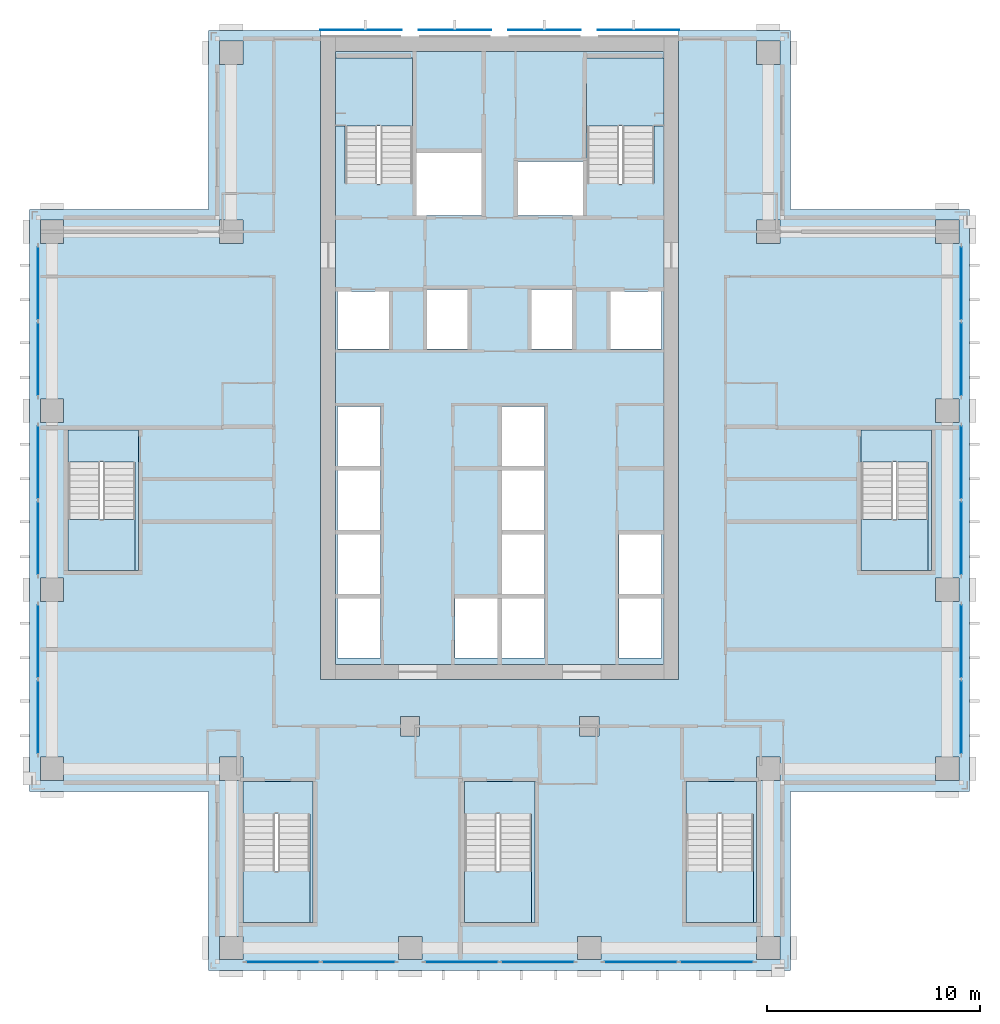
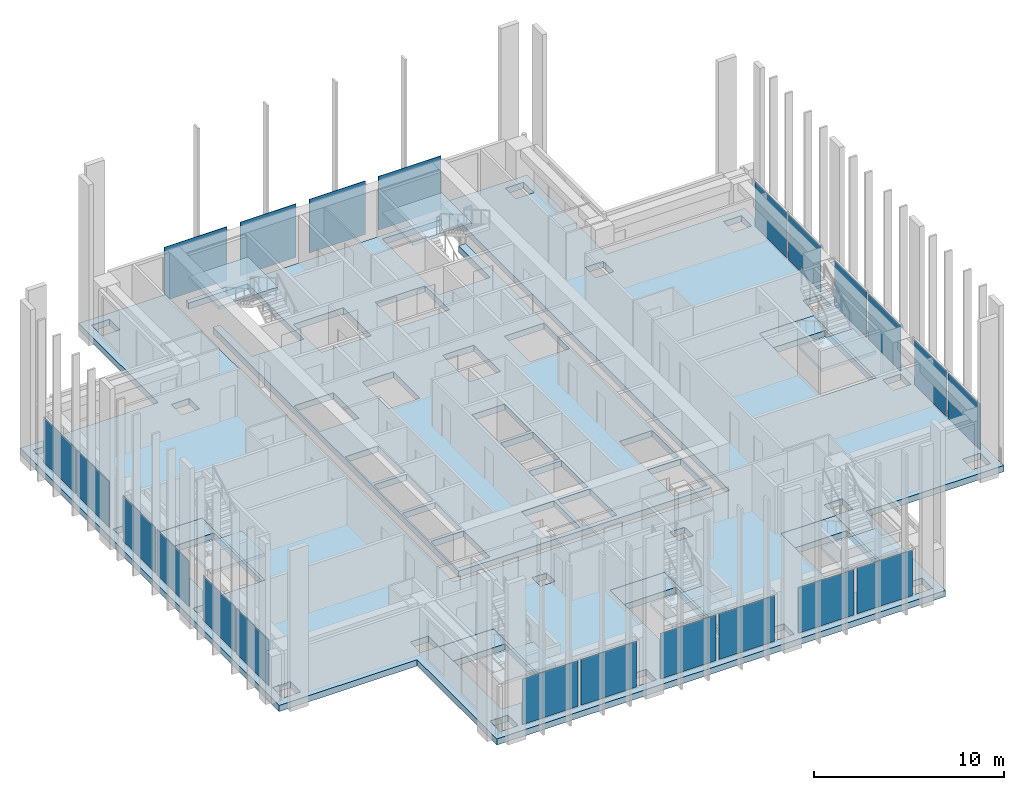
# One storey, part 8 of 16: 22 plates, 14 slabs, 16 elements without a shape of their own.
"""IFC4 building model written with IfcOpenShell, lengths in metres."""

from ifc_helpers import new_model, si_unit, direction, frame, origin, origin_2d, place, context, subcontext, project, spatial, polyline, rectangle, outline, extrude, material, layer, layer_set, type_object, element, aggregate, save


model = new_model("IFC4")

# Units and contexts
model_context = context("Model", 3, precision=1e-05, world=origin(), true_north=direction((0.0, 1.0)))
body_context = subcontext(model_context, "Body", "Model", "MODEL_VIEW")
ifc_project = project(units=[si_unit("LENGTHUNIT", "METRE"), si_unit("AREAUNIT", "SQUARE_METRE"), si_unit("VOLUMEUNIT", "CUBIC_METRE"), si_unit("PLANEANGLEUNIT", "RADIAN"), si_unit("MASSUNIT", "GRAM", prefix="KILO")], contexts=[model_context])

# Site, building, storey
site_placement = place(None, origin())
site = spatial("IfcSite", under=ifc_project, at=site_placement, CompositionType="ELEMENT")
building_placement = place(site_placement, origin())
building = spatial("IfcBuilding", under=site, at=building_placement, Name="Vermilion Ogive Tower", CompositionType="ELEMENT")
storey_placement = place(building_placement, frame((0.0, 0.0, 133.10009765625)))
storey = spatial("IfcBuildingStorey", under=building, at=storey_placement, Name="L33", CompositionType="ELEMENT", Elevation=133.10009765625)

# Curtain wall, plates
ifc_material_1 = material(Name="Low-iron laminated glazing in aluminium frame", Category="aluminium")
curtain_wall_type = type_object("IfcCurtainWallType", Name="Curtain wall CW7", PredefinedType="NOTDEFINED", material=ifc_material_1)
curtain_wall_1_placement = place(storey_placement, origin())
curtain_wall_1 = element("IfcCurtainWall", 1, at=curtain_wall_1_placement, inside=storey, type_object=curtain_wall_type, Name="Glazed skin S1", PredefinedType="NOTDEFINED")
ifc_material_2 = material(Name="Low-iron laminated glazing in aluminium frame", Category="aluminium")
ifc_layer_1 = layer(ifc_material_2, 0.031982421875)
ifc_layer_set_1 = layer_set([ifc_layer_1], Name="CW7 glazing panel 32")
plate_type_1 = type_object("IfcPlateType", Name="CW7 glazing panel 32", PredefinedType="CURTAIN_PANEL", material=ifc_layer_set_1)
plate_1_placement = place(storey_placement, frame((-10.179931640625, -21.64990234375, 0.06005859375), z_axis=(0.0, 0.0, 1.0), x_axis=(1.0, 0.0, 0.0)))
plate_1 = element("IfcPlate", 2, at=plate_1_placement, type_object=plate_type_1, Name="CW7-S1 panel 1.1", PredefinedType="CURTAIN_PANEL", context=body_context, shape_type="SweptSolid", body=[
    extrude(rectangle(XDim=3.3798828125, YDim=0.031982421875, at=origin_2d()), origin(), (0.0, 0.0, 1.0), 2.929931640625),
])
plate_2_placement = place(storey_placement, frame((-6.6201171875, -21.64990234375, 0.06005859375), z_axis=(0.0, 0.0, 1.0), x_axis=(1.0, 0.0, 0.0)))
plate_2 = element("IfcPlate", 3, at=plate_2_placement, type_object=plate_type_1, Name="CW7-S1 panel 2.1", PredefinedType="CURTAIN_PANEL", context=body_context, shape_type="SweptSolid", body=[
    extrude(rectangle(XDim=3.3798828125, YDim=0.031982421875, at=origin_2d()), origin(), (0.0, 0.0, 1.0), 2.929931640625),
])
aggregate(curtain_wall_1, [plate_1, plate_2])

curtain_wall_2_placement = place(storey_placement, origin())
curtain_wall_2 = element("IfcCurtainWall", 4, at=curtain_wall_2_placement, inside=storey, type_object=curtain_wall_type, Name="Glazed skin S2", PredefinedType="NOTDEFINED")
plate_3_placement = place(storey_placement, frame((-1.780029296875, -21.64990234375, 0.06005859375), z_axis=(0.0, 0.0, 1.0), x_axis=(1.0, 0.0, 0.0)))
plate_3 = element("IfcPlate", 5, at=plate_3_placement, type_object=plate_type_1, Name="CW7-S2 panel 1.1", PredefinedType="CURTAIN_PANEL", context=body_context, shape_type="SweptSolid", body=[
    extrude(rectangle(XDim=3.3798828125, YDim=0.031982421875, at=origin_2d()), origin(), (0.0, 0.0, 1.0), 2.929931640625),
])
plate_4_placement = place(storey_placement, frame((1.780029296875, -21.64990234375, 0.06005859375), z_axis=(0.0, 0.0, 1.0), x_axis=(1.0, 0.0, 0.0)))
plate_4 = element("IfcPlate", 6, at=plate_4_placement, type_object=plate_type_1, Name="CW7-S2 panel 2.1", PredefinedType="CURTAIN_PANEL", context=body_context, shape_type="SweptSolid", body=[
    extrude(rectangle(XDim=3.3798828125, YDim=0.031982421875, at=origin_2d()), origin(), (0.0, 0.0, 1.0), 2.929931640625),
])
aggregate(curtain_wall_2, [plate_3, plate_4])

curtain_wall_3_placement = place(storey_placement, origin())
curtain_wall_3 = element("IfcCurtainWall", 7, at=curtain_wall_3_placement, inside=storey, type_object=curtain_wall_type, Name="Glazed skin S3", PredefinedType="NOTDEFINED")
plate_5_placement = place(storey_placement, frame((6.6201171875, -21.64990234375, 0.06005859375), z_axis=(0.0, 0.0, 1.0), x_axis=(1.0, 0.0, 0.0)))
plate_5 = element("IfcPlate", 8, at=plate_5_placement, type_object=plate_type_1, Name="CW7-S3 panel 1.1", PredefinedType="CURTAIN_PANEL", context=body_context, shape_type="SweptSolid", body=[
    extrude(rectangle(XDim=3.3798828125, YDim=0.031982421875, at=origin_2d()), origin(), (0.0, 0.0, 1.0), 2.929931640625),
])
plate_6_placement = place(storey_placement, frame((10.179931640625, -21.64990234375, 0.06005859375), z_axis=(0.0, 0.0, 1.0), x_axis=(1.0, 0.0, 0.0)))
plate_6 = element("IfcPlate", 9, at=plate_6_placement, type_object=plate_type_1, Name="CW7-S3 panel 2.1", PredefinedType="CURTAIN_PANEL", context=body_context, shape_type="SweptSolid", body=[
    extrude(rectangle(XDim=3.3798828125, YDim=0.031982421875, at=origin_2d()), origin(), (0.0, 0.0, 1.0), 2.929931640625),
])
aggregate(curtain_wall_3, [plate_5, plate_6])

curtain_wall_4_placement = place(storey_placement, origin())
curtain_wall_4 = element("IfcCurtainWall", 10, at=curtain_wall_4_placement, inside=storey, type_object=curtain_wall_type, Name="Glazed skin E1", PredefinedType="NOTDEFINED")
plate_7_placement = place(storey_placement, frame((21.64990234375, -10.179931640625, 0.06005859375), z_axis=(0.0, 0.0, 1.0), x_axis=(0.0, 1.0, 0.0)))
plate_7 = element("IfcPlate", 11, at=plate_7_placement, type_object=plate_type_1, Name="CW7-E1 panel 1.1", PredefinedType="CURTAIN_PANEL", context=body_context, shape_type="SweptSolid", body=[
    extrude(rectangle(XDim=3.3798828125, YDim=0.031982421875, at=origin_2d()), origin(), (0.0, 0.0, 1.0), 2.929931640625),
])
plate_8_placement = place(storey_placement, frame((21.64990234375, -6.6201171875, 0.06005859375), z_axis=(0.0, 0.0, 1.0), x_axis=(0.0, 1.0, 0.0)))
plate_8 = element("IfcPlate", 12, at=plate_8_placement, type_object=plate_type_1, Name="CW7-E1 panel 2.1", PredefinedType="CURTAIN_PANEL", context=body_context, shape_type="SweptSolid", body=[
    extrude(rectangle(XDim=3.3798828125, YDim=0.031982421875, at=origin_2d()), origin(), (0.0, 0.0, 1.0), 2.929931640625),
])
aggregate(curtain_wall_4, [plate_7, plate_8])

curtain_wall_5_placement = place(storey_placement, origin())
curtain_wall_5 = element("IfcCurtainWall", 13, at=curtain_wall_5_placement, inside=storey, type_object=curtain_wall_type, Name="Glazed skin E2", PredefinedType="NOTDEFINED")
plate_9_placement = place(storey_placement, frame((21.64990234375, -1.780029296875, 0.06005859375), z_axis=(0.0, 0.0, 1.0), x_axis=(0.0, 1.0, 0.0)))
plate_9 = element("IfcPlate", 14, at=plate_9_placement, type_object=plate_type_1, Name="CW7-E2 panel 1.1", PredefinedType="CURTAIN_PANEL", context=body_context, shape_type="SweptSolid", body=[
    extrude(rectangle(XDim=3.3798828125, YDim=0.031982421875, at=origin_2d()), origin(), (0.0, 0.0, 1.0), 2.929931640625),
])
plate_10_placement = place(storey_placement, frame((21.64990234375, 1.780029296875, 0.06005859375), z_axis=(0.0, 0.0, 1.0), x_axis=(0.0, 1.0, 0.0)))
plate_10 = element("IfcPlate", 15, at=plate_10_placement, type_object=plate_type_1, Name="CW7-E2 panel 2.1", PredefinedType="CURTAIN_PANEL", context=body_context, shape_type="SweptSolid", body=[
    extrude(rectangle(XDim=3.3798828125, YDim=0.031982421875, at=origin_2d()), origin(), (0.0, 0.0, 1.0), 2.929931640625),
])
aggregate(curtain_wall_5, [plate_9, plate_10])

curtain_wall_6_placement = place(storey_placement, origin())
curtain_wall_6 = element("IfcCurtainWall", 16, at=curtain_wall_6_placement, inside=storey, type_object=curtain_wall_type, Name="Glazed skin E3", PredefinedType="NOTDEFINED")
plate_11_placement = place(storey_placement, frame((21.64990234375, 6.6201171875, 0.06005859375), z_axis=(0.0, 0.0, 1.0), x_axis=(0.0, 1.0, 0.0)))
plate_11 = element("IfcPlate", 17, at=plate_11_placement, type_object=plate_type_1, Name="CW7-E3 panel 1.1", PredefinedType="CURTAIN_PANEL", context=body_context, shape_type="SweptSolid", body=[
    extrude(rectangle(XDim=3.3798828125, YDim=0.031982421875, at=origin_2d()), origin(), (0.0, 0.0, 1.0), 2.929931640625),
])
plate_12_placement = place(storey_placement, frame((21.64990234375, 10.179931640625, 0.06005859375), z_axis=(0.0, 0.0, 1.0), x_axis=(0.0, 1.0, 0.0)))
plate_12 = element("IfcPlate", 18, at=plate_12_placement, type_object=plate_type_1, Name="CW7-E3 panel 2.1", PredefinedType="CURTAIN_PANEL", context=body_context, shape_type="SweptSolid", body=[
    extrude(rectangle(XDim=3.3798828125, YDim=0.031982421875, at=origin_2d()), origin(), (0.0, 0.0, 1.0), 2.929931640625),
])
aggregate(curtain_wall_6, [plate_11, plate_12])

curtain_wall_7_placement = place(storey_placement, origin())
curtain_wall_7 = element("IfcCurtainWall", 19, at=curtain_wall_7_placement, inside=storey, type_object=curtain_wall_type, Name="Glazed skin W1", PredefinedType="NOTDEFINED")
plate_13_placement = place(storey_placement, frame((-21.64990234375, 10.179931640625, 0.06005859375), z_axis=(0.0, 0.0, 1.0), x_axis=(0.0, -1.0, 0.0)))
plate_13 = element("IfcPlate", 20, at=plate_13_placement, type_object=plate_type_1, Name="CW7-W1 panel 1.1", PredefinedType="CURTAIN_PANEL", context=body_context, shape_type="SweptSolid", body=[
    extrude(rectangle(XDim=3.3798828125, YDim=0.031982421875, at=origin_2d()), origin(), (0.0, 0.0, 1.0), 2.929931640625),
])
plate_14_placement = place(storey_placement, frame((-21.64990234375, 6.6201171875, 0.06005859375), z_axis=(0.0, 0.0, 1.0), x_axis=(0.0, -1.0, 0.0)))
plate_14 = element("IfcPlate", 21, at=plate_14_placement, type_object=plate_type_1, Name="CW7-W1 panel 2.1", PredefinedType="CURTAIN_PANEL", context=body_context, shape_type="SweptSolid", body=[
    extrude(rectangle(XDim=3.3798828125, YDim=0.031982421875, at=origin_2d()), origin(), (0.0, 0.0, 1.0), 2.929931640625),
])
aggregate(curtain_wall_7, [plate_13, plate_14])

curtain_wall_8_placement = place(storey_placement, origin())
curtain_wall_8 = element("IfcCurtainWall", 22, at=curtain_wall_8_placement, inside=storey, type_object=curtain_wall_type, Name="Glazed skin W2", PredefinedType="NOTDEFINED")
plate_15_placement = place(storey_placement, frame((-21.64990234375, 1.780029296875, 0.06005859375), z_axis=(0.0, 0.0, 1.0), x_axis=(0.0, -1.0, 0.0)))
plate_15 = element("IfcPlate", 23, at=plate_15_placement, type_object=plate_type_1, Name="CW7-W2 panel 1.1", PredefinedType="CURTAIN_PANEL", context=body_context, shape_type="SweptSolid", body=[
    extrude(rectangle(XDim=3.3798828125, YDim=0.031982421875, at=origin_2d()), origin(), (0.0, 0.0, 1.0), 2.929931640625),
])
plate_16_placement = place(storey_placement, frame((-21.64990234375, -1.780029296875, 0.06005859375), z_axis=(0.0, 0.0, 1.0), x_axis=(0.0, -1.0, 0.0)))
plate_16 = element("IfcPlate", 24, at=plate_16_placement, type_object=plate_type_1, Name="CW7-W2 panel 2.1", PredefinedType="CURTAIN_PANEL", context=body_context, shape_type="SweptSolid", body=[
    extrude(rectangle(XDim=3.3798828125, YDim=0.031982421875, at=origin_2d()), origin(), (0.0, 0.0, 1.0), 2.929931640625),
])
aggregate(curtain_wall_8, [plate_15, plate_16])

curtain_wall_9_placement = place(storey_placement, origin())
curtain_wall_9 = element("IfcCurtainWall", 25, at=curtain_wall_9_placement, inside=storey, type_object=curtain_wall_type, Name="Glazed skin W3", PredefinedType="NOTDEFINED")
plate_17_placement = place(storey_placement, frame((-21.64990234375, -6.6201171875, 0.06005859375), z_axis=(0.0, 0.0, 1.0), x_axis=(0.0, -1.0, 0.0)))
plate_17 = element("IfcPlate", 26, at=plate_17_placement, type_object=plate_type_1, Name="CW7-W3 panel 1.1", PredefinedType="CURTAIN_PANEL", context=body_context, shape_type="SweptSolid", body=[
    extrude(rectangle(XDim=3.3798828125, YDim=0.031982421875, at=origin_2d()), origin(), (0.0, 0.0, 1.0), 2.929931640625),
])
plate_18_placement = place(storey_placement, frame((-21.64990234375, -10.179931640625, 0.06005859375), z_axis=(0.0, 0.0, 1.0), x_axis=(0.0, -1.0, 0.0)))
plate_18 = element("IfcPlate", 27, at=plate_18_placement, type_object=plate_type_1, Name="CW7-W3 panel 2.1", PredefinedType="CURTAIN_PANEL", context=body_context, shape_type="SweptSolid", body=[
    extrude(rectangle(XDim=3.3798828125, YDim=0.031982421875, at=origin_2d()), origin(), (0.0, 0.0, 1.0), 2.929931640625),
])
aggregate(curtain_wall_9, [plate_17, plate_18])

# Slabs
ifc_material_3 = material(Name="Concrete B40", Category="concrete")
ifc_layer_2 = layer(ifc_material_3, 0.39990234375)
ifc_layer_set_2 = layer_set([ifc_layer_2], Name="Core floor slab 400 B40")
slab_type_1 = type_object("IfcSlabType", Name="Core floor slab 400 B40", PredefinedType="FLOOR", material=ifc_layer_set_2)
slab_1_placement = place(storey_placement, frame((0.0, 0.0, -0.400146484375)))
element("IfcSlab", 28, at=slab_1_placement, inside=storey, type_object=slab_type_1, Name="L33-CK-FS1", PredefinedType="FLOOR", context=body_context, shape_type="SweptSolid", body=[
    extrude(outline(polyline([(5.75, 14.85009765625), (5.60009765625, 14.85009765625), (5.60009765625, 14.85205078125), (4.10009765625, 14.85205078125), (4.10009765625, 18.2099609375), (4.074951171875, 18.2099609375), (4.074951171875, 20.75), (7.696044921875, 20.75), (7.696044921875, 21.0458984375), (-7.696044921875, 21.0458984375), (-7.696044921875, 20.75), (-4.10009765625, 20.75), (-4.10009765625, 14.85205078125), (-5.60009765625, 14.85205078125), (-5.60009765625, 14.85009765625), (-5.75, 14.85009765625), (-5.75, 14.85205078125), (-7.25, 14.85205078125), (-7.25, 18.2099609375), (-7.696044921875, 18.2099609375), (-7.696044921875, -7.696044921875), (7.696044921875, -7.696044921875), (7.696044921875, 18.2099609375), (7.25, 18.2099609375), (7.25, 14.85205078125), (5.75, 14.85205078125), (5.75, 14.85009765625)]), holes=[polyline([(-7.60009765625, -4.60009765625), (-5.60009765625, -4.60009765625), (-5.60009765625, -7.39990234375), (-7.60009765625, -7.39990234375), (-7.60009765625, -4.60009765625)]), polyline([(-2.10009765625, -7.39990234375), (-2.10009765625, -4.60009765625), (-0.10009765625, -4.60009765625), (-0.10009765625, -7.39990234375), (-2.10009765625, -7.39990234375)]), polyline([(-7.60009765625, -1.60009765625), (-5.60009765625, -1.60009765625), (-5.60009765625, -4.39990234375), (-7.60009765625, -4.39990234375), (-7.60009765625, -1.60009765625)]), polyline([(-7.60009765625, -1.39990234375), (-7.60009765625, 1.39990234375), (-5.60009765625, 1.39990234375), (-5.60009765625, -1.39990234375), (-7.60009765625, -1.39990234375)]), polyline([(-7.60009765625, 4.39990234375), (-5.60009765625, 4.39990234375), (-5.60009765625, 1.60009765625), (-7.60009765625, 1.60009765625), (-7.60009765625, 4.39990234375)]), polyline([(-7.60009765625, 9.800048828125), (-5.199951171875, 9.800048828125), (-5.199951171875, 7.10009765625), (-7.60009765625, 7.10009765625), (-7.60009765625, 9.800048828125)]), polyline([(-3.39990234375, 7.10009765625), (-3.39990234375, 9.89990234375), (-1.5, 9.89990234375), (-1.5, 7.10009765625), (-3.39990234375, 7.10009765625)]), polyline([(-3.89990234375, 16.300048828125), (-0.85009765625, 16.300048828125), (-0.85009765625, 13.35009765625), (-3.89990234375, 13.35009765625), (-3.89990234375, 16.300048828125)]), polyline([(0.10009765625, -4.60009765625), (2.10009765625, -4.60009765625), (2.10009765625, -7.39990234375), (0.10009765625, -7.39990234375), (0.10009765625, -4.60009765625)]), polyline([(5.60009765625, -4.60009765625), (7.60009765625, -4.60009765625), (7.60009765625, -7.39990234375), (5.60009765625, -7.39990234375), (5.60009765625, -4.60009765625)]), polyline([(0.10009765625, -4.39990234375), (0.10009765625, -1.60009765625), (2.10009765625, -1.60009765625), (2.10009765625, -4.39990234375), (0.10009765625, -4.39990234375)]), polyline([(5.60009765625, -1.60009765625), (7.60009765625, -1.60009765625), (7.60009765625, -4.39990234375), (5.60009765625, -4.39990234375), (5.60009765625, -1.60009765625)]), polyline([(0.10009765625, -1.39990234375), (0.10009765625, 1.39990234375), (2.10009765625, 1.39990234375), (2.10009765625, -1.39990234375), (0.10009765625, -1.39990234375)]), polyline([(0.10009765625, 4.39990234375), (2.10009765625, 4.39990234375), (2.10009765625, 1.60009765625), (0.10009765625, 1.60009765625), (0.10009765625, 4.39990234375)]), polyline([(5.199951171875, 9.800048828125), (7.60009765625, 9.800048828125), (7.60009765625, 7.10009765625), (5.199951171875, 7.10009765625), (5.199951171875, 9.800048828125)]), polyline([(1.5, 7.10009765625), (1.5, 9.89990234375), (3.39990234375, 9.89990234375), (3.39990234375, 7.10009765625), (1.5, 7.10009765625)]), polyline([(0.85009765625, 15.89990234375), (3.89990234375, 15.89990234375), (3.89990234375, 13.35009765625), (0.85009765625, 13.35009765625), (0.85009765625, 15.89990234375)])]), origin(), (0.0, 0.0, 1.0), 0.400146484375),
])
slab_2_placement = place(storey_placement, frame((0.0, 0.0, -0.400146484375)))
element("IfcSlab", 29, at=slab_2_placement, inside=storey, type_object=slab_type_1, Name="L33-SF-ST3-1", PredefinedType="FLOOR", context=body_context, shape_type="SweptSolid", body=[
    extrude(outline(polyline([(-12.050048828125, -13.199951171875), (-12.050048828125, -14.701904296875), (-10.550048828125, -14.701904296875), (-10.550048828125, -14.699951171875), (-10.39990234375, -14.699951171875), (-10.39990234375, -14.701904296875), (-8.89990234375, -14.701904296875), (-8.89990234375, -19.800048828125), (-8.75, -19.800048828125), (-8.75, -13.199951171875), (-12.050048828125, -13.199951171875)])), origin(), (0.0, 0.0, 1.0), 0.400146484375),
])
slab_3_placement = place(storey_placement, frame((0.0, 0.0, -0.400146484375)))
element("IfcSlab", 30, at=slab_3_placement, inside=storey, type_object=slab_type_1, Name="L33-SF-ST4-1", PredefinedType="FLOOR", context=body_context, shape_type="SweptSolid", body=[
    extrude(outline(polyline([(-1.64990234375, -13.199951171875), (-1.64990234375, -14.701904296875), (-0.14990234375, -14.701904296875), (-0.14990234375, -14.699951171875), (0.0, -14.699951171875), (0.0, -14.701904296875), (1.5, -14.701904296875), (1.5, -19.800048828125), (1.64990234375, -19.800048828125), (1.64990234375, -13.199951171875), (-1.64990234375, -13.199951171875)])), origin(), (0.0, 0.0, 1.0), 0.400146484375),
])
slab_4_placement = place(storey_placement, frame((0.0, 0.0, -0.400146484375)))
element("IfcSlab", 31, at=slab_4_placement, inside=storey, type_object=slab_type_1, Name="L33-SF-ST5-1", PredefinedType="FLOOR", context=body_context, shape_type="SweptSolid", body=[
    extrude(outline(polyline([(8.75, -13.199951171875), (8.75, -14.701904296875), (10.25, -14.701904296875), (10.25, -14.699951171875), (10.39990234375, -14.699951171875), (10.39990234375, -14.701904296875), (11.89990234375, -14.701904296875), (11.89990234375, -19.800048828125), (12.050048828125, -19.800048828125), (12.050048828125, -13.199951171875), (8.75, -13.199951171875)])), origin(), (0.0, 0.0, 1.0), 0.400146484375),
])
slab_5_placement = place(storey_placement, frame((0.0, 0.0, -0.400146484375)))
element("IfcSlab", 32, at=slab_5_placement, inside=storey, type_object=slab_type_1, Name="L33-SF-ST8-1", PredefinedType="FLOOR", context=body_context, shape_type="SweptSolid", body=[
    extrude(outline(polyline([(16.949951171875, 3.300048828125), (16.949951171875, 1.798095703125), (18.449951171875, 1.798095703125), (18.449951171875, 1.800048828125), (18.60009765625, 1.800048828125), (18.60009765625, 1.798095703125), (20.10009765625, 1.798095703125), (20.10009765625, -3.300048828125), (20.25, -3.300048828125), (20.25, 3.300048828125), (16.949951171875, 3.300048828125)])), origin(), (0.0, 0.0, 1.0), 0.400146484375),
])
slab_6_placement = place(storey_placement, frame((0.0, 0.0, -0.400146484375)))
element("IfcSlab", 33, at=slab_6_placement, inside=storey, type_object=slab_type_1, Name="L33-SF-ST9-1", PredefinedType="FLOOR", context=body_context, shape_type="SweptSolid", body=[
    extrude(outline(polyline([(-20.25, 3.300048828125), (-20.25, 1.798095703125), (-18.75, 1.798095703125), (-18.75, 1.800048828125), (-18.60009765625, 1.800048828125), (-18.60009765625, 1.798095703125), (-17.10009765625, 1.798095703125), (-17.10009765625, -3.300048828125), (-16.949951171875, -3.300048828125), (-16.949951171875, 3.300048828125), (-20.25, 3.300048828125)])), origin(), (0.0, 0.0, 1.0), 0.400146484375),
])

# Plates
ifc_material_4 = material(Name="Low-iron laminated glazing in aluminium frame", Category="aluminium")
ifc_layer_3 = layer(ifc_material_4, 0.031982421875)
ifc_layer_set_3 = layer_set([ifc_layer_3], Name="Glazed rainscreen sheet 32")
plate_type_2 = type_object("IfcPlateType", Name="Glazed rainscreen sheet 32", PredefinedType="SHEET", material=ifc_layer_set_3)
plate_19_placement = place(storey_placement, frame((-6.510009765625, 22.06591796875, -0.39990234375), z_axis=(0.0, 0.0, 1.0), x_axis=(1.0, 0.0, 0.0)))
element("IfcPlate", 34, at=plate_19_placement, inside=storey, type_object=plate_type_2, Name="Glazed rainscreen sheet N1", PredefinedType="SHEET", context=body_context, shape_type="SweptSolid", body=[
    extrude(rectangle(XDim=3.820068359375, YDim=0.031982421875, at=origin_2d()), origin(), (0.0, 0.0, 1.0), 3.449951171875),
])
for number, where, z_axis, x_axis, name in (
    (35, (-2.10009765625, 22.06591796875, -0.39990234375), (0.0, 0.0, 1.0), (1.0, 0.0, 0.0), "Glazed rainscreen sheet N2"),
    (36, (2.10009765625, 22.06591796875, -0.39990234375), (0.0, 0.0, 1.0), (1.0, 0.0, 0.0), "Glazed rainscreen sheet N3"),
):
    element("IfcPlate", number, at=place(storey_placement, frame(where, z_axis=z_axis, x_axis=x_axis)), inside=storey, type_object=plate_type_2, Name=name, PredefinedType="SHEET", context=body_context, shape_type="SweptSolid", body=[
        extrude(rectangle(XDim=3.39990234375, YDim=0.031982421875, at=origin_2d()), origin(), (0.0, 0.0, 1.0), 3.449951171875),
    ])
plate_20_placement = place(storey_placement, frame((6.510009765625, 22.06591796875, -0.39990234375), z_axis=(0.0, 0.0, 1.0), x_axis=(1.0, 0.0, 0.0)))
element("IfcPlate", 37, at=plate_20_placement, inside=storey, type_object=plate_type_2, Name="Glazed rainscreen sheet N4", PredefinedType="SHEET", context=body_context, shape_type="SweptSolid", body=[
    extrude(rectangle(XDim=3.820068359375, YDim=0.031982421875, at=origin_2d()), origin(), (0.0, 0.0, 1.0), 3.449951171875),
])

# Slab
ifc_material_5 = material(Name="Concrete B45", Category="concrete")
ifc_layer_4 = layer(ifc_material_5, 0.39990234375)
ifc_layer_set_4 = layer_set([ifc_layer_4], Name="Post-tensioned flat plate 400 B45")
slab_type_2 = type_object("IfcSlabType", Name="Post-tensioned flat plate 400 B45", PredefinedType="FLOOR", material=ifc_layer_set_4)
slab_7_placement = place(storey_placement, frame((0.0, 0.0, -0.400146484375)))
element("IfcSlab", 38, at=slab_7_placement, inside=storey, type_object=slab_type_2, Name="L33-SL-1", PredefinedType="FLOOR", context=body_context, shape_type="SweptSolid", body=[
    extrude(outline(polyline([(-13.64990234375, -13.64990234375), (-22.050048828125, -13.64990234375), (-22.050048828125, 13.64990234375), (-13.64990234375, 13.64990234375), (-13.64990234375, 22.050048828125), (-8.39990234375, 22.050048828125), (-8.39990234375, -8.39990234375), (8.39990234375, -8.39990234375), (8.39990234375, 22.050048828125), (13.64990234375, 22.050048828125), (13.64990234375, 13.64990234375), (22.050048828125, 13.64990234375), (22.050048828125, -13.64990234375), (13.64990234375, -13.64990234375), (13.64990234375, -22.050048828125), (-13.64990234375, -22.050048828125), (-13.64990234375, -13.64990234375)]), holes=[polyline([(21.550048828125, 12.050048828125), (21.550048828125, 13.14990234375), (20.449951171875, 13.14990234375), (20.449951171875, 12.050048828125), (21.550048828125, 12.050048828125)]), polyline([(21.550048828125, 3.64990234375), (21.550048828125, 4.75), (20.449951171875, 4.75), (20.449951171875, 3.64990234375), (21.550048828125, 3.64990234375)]), polyline([(21.550048828125, -4.75), (21.550048828125, -3.64990234375), (20.449951171875, -3.64990234375), (20.449951171875, -4.75), (21.550048828125, -4.75)]), polyline([(21.550048828125, -13.14990234375), (21.550048828125, -12.050048828125), (20.449951171875, -12.050048828125), (20.449951171875, -13.14990234375), (21.550048828125, -13.14990234375)]), polyline([(20.25, -3.300048828125), (20.25, 3.300048828125), (16.949951171875, 3.300048828125), (16.949951171875, -3.300048828125), (20.25, -3.300048828125)]), polyline([(13.14990234375, 20.449951171875), (13.14990234375, 21.550048828125), (12.050048828125, 21.550048828125), (12.050048828125, 20.449951171875), (13.14990234375, 20.449951171875)]), polyline([(13.14990234375, 12.050048828125), (13.14990234375, 13.14990234375), (12.050048828125, 13.14990234375), (12.050048828125, 12.050048828125), (13.14990234375, 12.050048828125)]), polyline([(13.14990234375, -13.14990234375), (13.14990234375, -12.050048828125), (12.050048828125, -12.050048828125), (12.050048828125, -13.14990234375), (13.14990234375, -13.14990234375)]), polyline([(13.14990234375, -21.550048828125), (13.14990234375, -20.449951171875), (12.050048828125, -20.449951171875), (12.050048828125, -21.550048828125), (13.14990234375, -21.550048828125)]), polyline([(12.050048828125, -19.800048828125), (12.050048828125, -13.199951171875), (8.75, -13.199951171875), (8.75, -19.800048828125), (12.050048828125, -19.800048828125)]), polyline([(4.75, -20.449951171875), (3.64990234375, -20.449951171875), (3.64990234375, -21.550048828125), (4.75, -21.550048828125), (4.75, -20.449951171875)]), polyline([(4.64990234375, -11.050048828125), (4.64990234375, -10.14990234375), (3.75, -10.14990234375), (3.75, -11.050048828125), (4.64990234375, -11.050048828125)]), polyline([(1.64990234375, -19.800048828125), (1.64990234375, -13.199951171875), (-1.64990234375, -13.199951171875), (-1.64990234375, -19.800048828125), (1.64990234375, -19.800048828125)]), polyline([(-3.64990234375, -21.550048828125), (-3.64990234375, -20.449951171875), (-4.75, -20.449951171875), (-4.75, -21.550048828125), (-3.64990234375, -21.550048828125)]), polyline([(-3.75, -11.050048828125), (-3.75, -10.14990234375), (-4.64990234375, -10.14990234375), (-4.64990234375, -11.050048828125), (-3.75, -11.050048828125)]), polyline([(-8.75, -19.800048828125), (-8.75, -13.199951171875), (-12.050048828125, -13.199951171875), (-12.050048828125, -19.800048828125), (-8.75, -19.800048828125)]), polyline([(-12.050048828125, 20.449951171875), (-12.050048828125, 21.550048828125), (-13.14990234375, 21.550048828125), (-13.14990234375, 20.449951171875), (-12.050048828125, 20.449951171875)]), polyline([(-12.050048828125, 12.050048828125), (-12.050048828125, 13.14990234375), (-13.14990234375, 13.14990234375), (-13.14990234375, 12.050048828125), (-12.050048828125, 12.050048828125)]), polyline([(-12.050048828125, -13.14990234375), (-12.050048828125, -12.050048828125), (-13.14990234375, -12.050048828125), (-13.14990234375, -13.14990234375), (-12.050048828125, -13.14990234375)]), polyline([(-12.050048828125, -20.449951171875), (-13.14990234375, -20.449951171875), (-13.14990234375, -21.550048828125), (-12.050048828125, -21.550048828125), (-12.050048828125, -20.449951171875)]), polyline([(-16.949951171875, -3.300048828125), (-16.949951171875, 3.300048828125), (-20.25, 3.300048828125), (-20.25, -3.300048828125), (-16.949951171875, -3.300048828125)]), polyline([(-20.449951171875, -13.14990234375), (-20.449951171875, -12.050048828125), (-21.550048828125, -12.050048828125), (-21.550048828125, -13.14990234375), (-20.449951171875, -13.14990234375)]), polyline([(-20.449951171875, 12.050048828125), (-20.449951171875, 13.14990234375), (-21.550048828125, 13.14990234375), (-21.550048828125, 12.050048828125), (-20.449951171875, 12.050048828125)]), polyline([(-20.449951171875, 3.64990234375), (-20.449951171875, 4.75), (-21.550048828125, 4.75), (-21.550048828125, 3.64990234375), (-20.449951171875, 3.64990234375)]), polyline([(-20.449951171875, -4.75), (-20.449951171875, -3.64990234375), (-21.550048828125, -3.64990234375), (-21.550048828125, -4.75), (-20.449951171875, -4.75)])]), origin(), (0.0, 0.0, 1.0), 0.400146484375),
])

# Stair, slab
ifc_material_6 = material(Name="Concrete B40", Category="concrete")
stair_type = type_object("IfcStairType", Name="Exit stair 1500", PredefinedType="HALF_TURN_STAIR", material=ifc_material_6)
stair_1_placement = place(storey_placement, origin())
stair_1 = element("IfcStair", 39, at=stair_1_placement, inside=storey, type_object=stair_type, Name="L33 Exit Stair ST1", PredefinedType="HALF_TURN_STAIR")
ifc_material_7 = material(Name="Concrete B40", Category="concrete")
ifc_layer_5 = layer(ifc_material_7, 0.199951171875)
ifc_layer_set_5 = layer_set([ifc_layer_5], Name="Stair landing 200")
slab_type_3 = type_object("IfcSlabType", Name="Stair landing 200", PredefinedType="LANDING", material=ifc_layer_set_5)
slab_8_placement = place(storey_placement, frame((0.0, 0.0, 1.52490234375)))
slab_8 = element("IfcSlab", 40, at=slab_8_placement, type_object=slab_type_3, Name="ST1 landing 1", PredefinedType="LANDING", context=body_context, shape_type="SweptSolid", body=[
    extrude(outline(polyline([(-7.699951171875, 17.550048828125), (-7.25, 17.550048828125), (-7.25, 17.548095703125), (-5.75, 17.548095703125), (-5.75, 17.550048828125), (-5.60009765625, 17.550048828125), (-5.60009765625, 17.548095703125), (-4.10009765625, 17.548095703125), (-4.10009765625, 20.75), (-7.699951171875, 20.75), (-7.699951171875, 17.550048828125)])), origin(), (0.0, 0.0, 1.0), 0.199951171875),
])
aggregate(stair_1, [slab_8])

stair_2_placement = place(storey_placement, origin())
stair_2 = element("IfcStair", 41, at=stair_2_placement, inside=storey, type_object=stair_type, Name="L33 Exit Stair ST2", PredefinedType="HALF_TURN_STAIR")
slab_9_placement = place(storey_placement, frame((0.0, 0.0, 1.52490234375)))
slab_9 = element("IfcSlab", 42, at=slab_9_placement, type_object=slab_type_3, Name="ST2 landing 1", PredefinedType="LANDING", context=body_context, shape_type="SweptSolid", body=[
    extrude(outline(polyline([(5.60009765625, 17.550048828125), (5.75, 17.550048828125), (5.75, 17.548095703125), (7.25, 17.548095703125), (7.25, 17.550048828125), (7.699951171875, 17.550048828125), (7.699951171875, 20.75), (4.074951171875, 20.75), (4.074951171875, 17.550048828125), (4.10009765625, 17.550048828125), (4.10009765625, 17.548095703125), (5.60009765625, 17.548095703125), (5.60009765625, 17.550048828125)])), origin(), (0.0, 0.0, 1.0), 0.199951171875),
])
aggregate(stair_2, [slab_9])

stair_3_placement = place(storey_placement, origin())
stair_3 = element("IfcStair", 43, at=stair_3_placement, inside=storey, type_object=stair_type, Name="L33 Exit Stair ST3", PredefinedType="HALF_TURN_STAIR")
slab_10_placement = place(storey_placement, frame((0.0, 0.0, 1.52490234375)))
slab_10 = element("IfcSlab", 44, at=slab_10_placement, type_object=slab_type_3, Name="ST3 landing 1", PredefinedType="LANDING", context=body_context, shape_type="SweptSolid", body=[
    extrude(outline(polyline([(-8.75, -17.39990234375), (-8.89990234375, -17.39990234375), (-8.89990234375, -17.39794921875), (-10.39990234375, -17.39794921875), (-10.39990234375, -17.39990234375), (-10.550048828125, -17.39990234375), (-10.550048828125, -17.39794921875), (-12.050048828125, -17.39794921875), (-12.050048828125, -19.800048828125), (-8.75, -19.800048828125), (-8.75, -17.39990234375)])), origin(), (0.0, 0.0, 1.0), 0.199951171875),
])
aggregate(stair_3, [slab_10])

stair_4_placement = place(storey_placement, origin())
stair_4 = element("IfcStair", 45, at=stair_4_placement, inside=storey, type_object=stair_type, Name="L33 Exit Stair ST4", PredefinedType="HALF_TURN_STAIR")
slab_11_placement = place(storey_placement, frame((0.0, 0.0, 1.52490234375)))
slab_11 = element("IfcSlab", 46, at=slab_11_placement, type_object=slab_type_3, Name="ST4 landing 1", PredefinedType="LANDING", context=body_context, shape_type="SweptSolid", body=[
    extrude(outline(polyline([(1.64990234375, -17.39990234375), (1.5, -17.39990234375), (1.5, -17.39794921875), (0.0, -17.39794921875), (0.0, -17.39990234375), (-0.14990234375, -17.39990234375), (-0.14990234375, -17.39794921875), (-1.64990234375, -17.39794921875), (-1.64990234375, -19.7998046875), (1.64990234375, -19.7998046875), (1.64990234375, -17.39990234375)])), origin(), (0.0, 0.0, 1.0), 0.199951171875),
])
aggregate(stair_4, [slab_11])

stair_5_placement = place(storey_placement, origin())
stair_5 = element("IfcStair", 47, at=stair_5_placement, inside=storey, type_object=stair_type, Name="L33 Exit Stair ST5", PredefinedType="HALF_TURN_STAIR")
slab_12_placement = place(storey_placement, frame((0.0, 0.0, 1.52490234375)))
slab_12 = element("IfcSlab", 48, at=slab_12_placement, type_object=slab_type_3, Name="ST5 landing 1", PredefinedType="LANDING", context=body_context, shape_type="SweptSolid", body=[
    extrude(outline(polyline([(12.050048828125, -17.39990234375), (11.89990234375, -17.39990234375), (11.89990234375, -17.39794921875), (10.39990234375, -17.39794921875), (10.39990234375, -17.39990234375), (10.25, -17.39990234375), (10.25, -17.39794921875), (8.75, -17.39794921875), (8.75, -19.800048828125), (12.050048828125, -19.800048828125), (12.050048828125, -17.39990234375)])), origin(), (0.0, 0.0, 1.0), 0.199951171875),
])
aggregate(stair_5, [slab_12])

stair_6_placement = place(storey_placement, origin())
stair_6 = element("IfcStair", 49, at=stair_6_placement, inside=storey, type_object=stair_type, Name="L33 Exit Stair ST8", PredefinedType="HALF_TURN_STAIR")
slab_13_placement = place(storey_placement, frame((0.0, 0.0, 1.52490234375)))
slab_13 = element("IfcSlab", 50, at=slab_13_placement, type_object=slab_type_3, Name="ST8 landing 1", PredefinedType="LANDING", context=body_context, shape_type="SweptSolid", body=[
    extrude(outline(polyline([(20.25, -0.89990234375), (20.10009765625, -0.89990234375), (20.10009765625, -0.89794921875), (18.60009765625, -0.89794921875), (18.60009765625, -0.89990234375), (18.449951171875, -0.89990234375), (18.449951171875, -0.89794921875), (16.949951171875, -0.89794921875), (16.949951171875, -0.902099609375), (16.9501953125, -0.902099609375), (16.9501953125, -3.2998046875), (20.25, -3.2998046875), (20.25, -0.89990234375)])), origin(), (0.0, 0.0, 1.0), 0.199951171875),
])
aggregate(stair_6, [slab_13])

stair_7_placement = place(storey_placement, origin())
stair_7 = element("IfcStair", 51, at=stair_7_placement, inside=storey, type_object=stair_type, Name="L33 Exit Stair ST9", PredefinedType="HALF_TURN_STAIR")
slab_14_placement = place(storey_placement, frame((0.0, 0.0, 1.52490234375)))
slab_14 = element("IfcSlab", 52, at=slab_14_placement, type_object=slab_type_3, Name="ST9 landing 1", PredefinedType="LANDING", context=body_context, shape_type="SweptSolid", body=[
    extrude(outline(polyline([(-16.9501953125, -0.89990234375), (-17.10009765625, -0.89990234375), (-17.10009765625, -0.89794921875), (-18.60009765625, -0.89794921875), (-18.60009765625, -0.89990234375), (-18.75, -0.89990234375), (-18.75, -0.89794921875), (-20.25, -0.89794921875), (-20.25, -0.89990234375), (-20.25, -0.89990234375), (-20.25, -3.2998046875), (-16.9501953125, -3.2998046875), (-16.9501953125, -0.89990234375)])), origin(), (0.0, 0.0, 1.0), 0.199951171875),
])
aggregate(stair_7, [slab_14])

save(model, "model.ifc")
